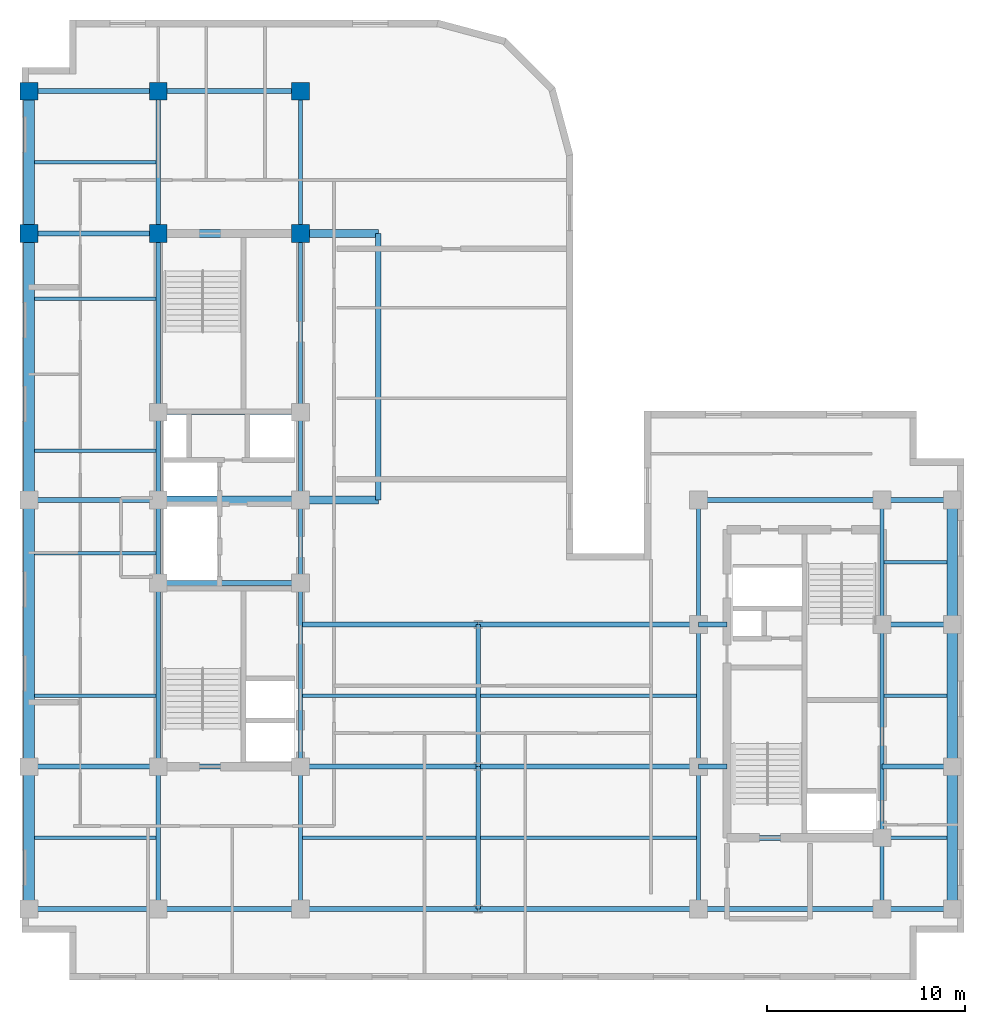
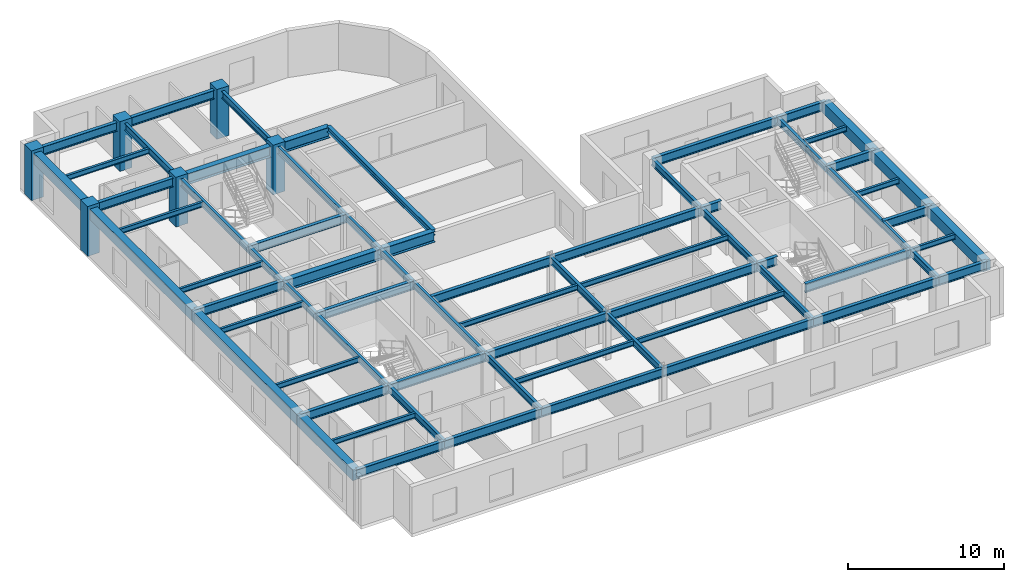
# One storey, part 2 of 10: 68 beams, 6 columns.
"""IFC4 building model written with IfcOpenShell, lengths in metres."""

import ifcopenshell
import ifcopenshell.guid

model = None  # the IFC model being written
_history = None  # IfcOwnerHistory: only IFC2X3 demands one
_inside = {}  # id of a spatial element -> (the spatial element, [elements in it])
_under = {}  # id of a project, library or spatial element -> (it, [spatial elements below it])
_declared = {}  # id of a project -> (the project, [libraries it declares])
_typed = {}  # id of a type object -> (the type object, [elements of that type])
_made_of = {}  # id of a material, layer set ... -> (it, [elements and type objects made of it])


def new_model(schema):
    """Start an empty IFC model of exactly this schema.

    Asked for "IFC4X3", IfcOpenShell would pick the latest addendum, in which some entities
    have other attributes; the version numbers below select the first issue.
    IFC2X3 requires an IfcOwnerHistory on every rooted entity: one is made here for all.
    """
    global model, _history
    if schema == "IFC4X3":
        model = ifcopenshell.file(schema_version=(4, 3, 0, 0))
    else:
        model = ifcopenshell.file(schema=schema)
    _inside.clear()
    _under.clear()
    _declared.clear()
    _typed.clear()
    _made_of.clear()
    _history = None
    if model.schema == "IFC2X3":
        org = make("IfcOrganization", Name="unknown")
        user = make(
            "IfcPersonAndOrganization",
            ThePerson=make("IfcPerson", FamilyName="unknown"),
            TheOrganization=org,
        )
        app = make(
            "IfcApplication",
            ApplicationDeveloper=org,
            Version="unknown",
            ApplicationFullName="unknown",
            ApplicationIdentifier="unknown",
        )
        _history = make(
            "IfcOwnerHistory",
            OwningUser=user,
            OwningApplication=app,
            ChangeAction="ADDED",
            CreationDate=0,
        )
    return model


def make(cls, **values):
    """One entity of the class cls with the attributes given. An attribute that is None is left unset."""
    return model.create_entity(
        cls, **{name: value for name, value in values.items() if value is not None}
    )


def entity(cls, *values):
    """Any entity or typed value of the class cls, its attributes in the order of the schema. None: left unset."""
    e = model.create_entity(cls)
    for i, value in enumerate(values):
        if value is not None:
            e[i] = value
    return e


def rooted(cls, **values):
    """An entity with a GlobalId (a new one), such as an element, a storey or a relation."""
    return make(cls, GlobalId=ifcopenshell.guid.new(), OwnerHistory=_history, **values)


def si_unit(unit_type, name, prefix=None):
    """IfcSIUnit, for example si_unit("LENGTHUNIT", "METRE", prefix="MILLI")."""
    return make("IfcSIUnit", UnitType=unit_type, Prefix=prefix, Name=name)


def converted_unit(unit_type, name, factor, base, dimensions=None, offset=None):
    """IfcConversionBasedUnit, such as the inch: factor (a typed value) times the base unit."""
    return make(
        "IfcConversionBasedUnit"
        if offset is None
        else "IfcConversionBasedUnitWithOffset",
        ConversionOffset=offset,
        Dimensions=None
        if dimensions is None
        else entity("IfcDimensionalExponents", *dimensions),
        UnitType=unit_type,
        Name=name,
        ConversionFactor=make(
            "IfcMeasureWithUnit", ValueComponent=factor, UnitComponent=base
        ),
    )


def assignment(units):
    """IfcUnitAssignment: the units of a project."""
    return None if units is None else make("IfcUnitAssignment", Units=units)


def point(xyz):
    """IfcCartesianPoint."""
    return None if xyz is None else make("IfcCartesianPoint", Coordinates=xyz)


def direction(xyz):
    """IfcDirection."""
    return None if xyz is None else make("IfcDirection", DirectionRatios=xyz)


def frame(location, z_axis=None, x_axis=None):
    """IfcAxis2Placement3D, a coordinate frame: its origin and axes. An axis left out is left unset."""
    return make(
        "IfcAxis2Placement3D",
        Location=point(location),
        Axis=direction(z_axis),
        RefDirection=direction(x_axis),
    )


def frame_2d(location, x_axis=None):
    """IfcAxis2Placement2D, a coordinate frame in the plane: its origin and x axis."""
    return make(
        "IfcAxis2Placement2D", Location=point(location), RefDirection=direction(x_axis)
    )


def origin_with_axes():
    """The frame at (0, 0, 0) with the z axis (0, 0, 1) and the x axis (1, 0, 0) written out."""
    return frame((0.0, 0.0, 0.0), z_axis=(0.0, 0.0, 1.0), x_axis=(1.0, 0.0, 0.0))


def origin_2d_with_axis():
    """The frame at (0, 0) in the plane with the x axis (1, 0) written out."""
    return frame_2d((0.0, 0.0), x_axis=(1.0, 0.0))


def place(relative_to, where):
    """IfcLocalPlacement: puts the frame where relative to a parent placement (None: the world)."""
    return make(
        "IfcLocalPlacement", PlacementRelTo=relative_to, RelativePlacement=where
    )


def context(
    kind, dimensions, precision=None, world=None, true_north=None, identifier=None
):
    """IfcGeometricRepresentationContext, for example the 3D "Model" context."""
    return make(
        "IfcGeometricRepresentationContext",
        ContextIdentifier=identifier,
        ContextType=kind,
        CoordinateSpaceDimension=dimensions,
        Precision=precision,
        WorldCoordinateSystem=world,
        TrueNorth=true_north,
    )


def subcontext(parent, identifier, kind, view, scale=None):
    """IfcGeometricRepresentationSubContext, for example "Body" below "Model"."""
    return make(
        "IfcGeometricRepresentationSubContext",
        ContextIdentifier=identifier,
        ContextType=kind,
        ParentContext=parent,
        TargetScale=scale,
        TargetView=view,
    )


def project(units=None, contexts=None):
    """IfcProject with its units and contexts."""
    return rooted(
        "IfcProject",
        Name="project",
        RepresentationContexts=contexts,
        UnitsInContext=assignment(units),
    )


def spatial(cls, under=None, at=None, **own):
    """A site, building, storey or space (cls), placed at a placement, below another one or the project."""
    s = rooted(cls, ObjectPlacement=at, **own)
    if under is not None:
        _under.setdefault(under.id(), (under, []))[1].append(s)
    return s


def profile(cls, at=None, kind="AREA", **sizes):
    """A parametric profile (cls). Its sizes go by their IFC names, for example OverallWidth=200.0."""
    return make(cls, ProfileType=kind, Position=at, **sizes)


def rectangle(**sizes):
    """IfcRectangleProfileDef."""
    return profile("IfcRectangleProfileDef", **sizes)


def i_section(**sizes):
    """IfcIShapeProfileDef."""
    return profile("IfcIShapeProfileDef", **sizes)


def extrude(swept, where, along, depth):
    """IfcExtrudedAreaSolid: the profile swept, set in the frame where, extruded along a direction by depth."""
    return make(
        "IfcExtrudedAreaSolid",
        SweptArea=swept,
        Position=where,
        ExtrudedDirection=direction(along),
        Depth=depth,
    )


def shape(context_of_items, identifier, shape_type, items):
    """IfcShapeRepresentation: the items that make up one representation, for example the "Body"."""
    return make(
        "IfcShapeRepresentation",
        ContextOfItems=context_of_items,
        RepresentationIdentifier=identifier,
        RepresentationType=shape_type,
        Items=items,
    )


def material(Name=None, Category=None):
    """IfcMaterial."""
    return make("IfcMaterial", Name=Name, Category=Category)


def material_profile(
    of_material, cross_section, Name=None, Category=None, Priority=None
):
    """IfcMaterialProfile: a cross section and its material."""
    return make(
        "IfcMaterialProfile",
        Name=Name,
        Material=of_material,
        Profile=cross_section,
        Priority=Priority,
        Category=Category,
    )


def profile_set(profiles, Name=None, composite=None):
    """IfcMaterialProfileSet."""
    return make(
        "IfcMaterialProfileSet",
        Name=Name,
        MaterialProfiles=profiles,
        CompositeProfile=composite,
    )


def made_of(thing, what):
    """Note that an element or type object is made of a material, layer set ...; save() writes the relation."""
    if what is not None:
        _made_of.setdefault(what.id(), (what, []))[1].append(thing)
    return thing


def type_object(cls, material=None, **own):
    """A type object (cls), such as IfcWallType, which elements share."""
    return made_of(rooted(cls, **own), material)


def element(
    cls,
    number,
    at=None,
    inside=None,
    cuts=None,
    type_object=None,
    material=None,
    context=None,
    identifier="Body",
    shape_type=None,
    held_by="IfcProductDefinitionShape",
    body=None,
    shapes=None,
    **own,
):
    """One element of the class cls, such as IfcWall. Its Tag is "e" and its number.

    at: its placement. inside: the storey or other place that contains it. cuts: it is an
    opening in that element (IfcRelVoidsElement). A single representation is given by context,
    identifier, shape_type and body (its items); several are given by shapes. held_by: the class
    of the entity that holds the representations. save() writes the other relations.
    """
    e = rooted(cls, Tag="e%d" % number, ObjectPlacement=at, **own)
    if body is not None:
        shapes = [shape(context, identifier, shape_type, body)]
    if shapes is not None:
        e.Representation = make(held_by, Representations=shapes)
    if inside is not None:
        _inside.setdefault(inside.id(), (inside, []))[1].append(e)
    if cuts is not None:
        rooted(
            "IfcRelVoidsElement", RelatingBuildingElement=cuts, RelatedOpeningElement=e
        )
    if type_object is not None:
        _typed.setdefault(type_object.id(), (type_object, []))[1].append(e)
    return made_of(e, material)


def aggregate(whole, parts):
    """IfcRelAggregates: a whole, such as a stair, and the parts it consists of."""
    return rooted("IfcRelAggregates", RelatingObject=whole, RelatedObjects=parts)


def save(model, path):
    """Write the relations noted so far, then the file.

    IfcRelAggregates (storeys below a building ...), IfcRelContainedInSpatialStructure (elements
    in a storey), IfcRelDefinesByType, IfcRelAssociatesMaterial and IfcRelDeclares: one each for
    every whole, place, type object, material and project.
    """
    for whole, parts in _under.values():
        aggregate(whole, parts)
    for where, things in _inside.values():
        rooted(
            "IfcRelContainedInSpatialStructure",
            RelatedElements=things,
            RelatingStructure=where,
        )
    for kind, things in _typed.values():
        rooted("IfcRelDefinesByType", RelatedObjects=things, RelatingType=kind)
    for what, things in _made_of.values():
        rooted("IfcRelAssociatesMaterial", RelatedObjects=things, RelatingMaterial=what)
    for by, libraries in _declared.values():
        rooted("IfcRelDeclares", RelatingContext=by, RelatedDefinitions=libraries)
    model.write(path)


model = new_model("IFC4")

# Units and contexts
model_context = context("Model", 3, precision=1e-05, world=origin_with_axes(), true_north=direction((0.0, 1.0)))
body_context = subcontext(model_context, "Body", "Model", "MODEL_VIEW")
ifc_project = project(units=[si_unit("LENGTHUNIT", "METRE"), si_unit("AREAUNIT", "SQUARE_METRE"), si_unit("VOLUMEUNIT", "CUBIC_METRE"), converted_unit("PLANEANGLEUNIT", "DEGREE", entity("IfcPlaneAngleMeasure", 0.017453292519943295), si_unit("PLANEANGLEUNIT", "RADIAN"), dimensions=[0, 0, 0, 0, 0, 0, 0]), si_unit("MASSUNIT", "GRAM", prefix="KILO"), si_unit("THERMODYNAMICTEMPERATUREUNIT", "KELVIN")], contexts=[model_context])

# Site, building, storey
site_placement = place(None, origin_with_axes())
site = spatial("IfcSite", under=ifc_project, at=site_placement, CompositionType="ELEMENT")
building_placement = place(site_placement, origin_with_axes())
building = spatial("IfcBuilding", under=site, at=building_placement, Name="Varnlund Millrace Tower", CompositionType="ELEMENT")
storey_placement = place(building_placement, frame((0.0, 0.0, 232.5), z_axis=(0.0, 0.0, 1.0), x_axis=(1.0, 0.0, 0.0)))
storey = spatial("IfcBuildingStorey", under=building, at=storey_placement, Name="L57", CompositionType="ELEMENT", Elevation=232.5)

# Columns
ifc_material_1 = material(Name="Concrete C70/85", Category="concrete")
ifc_material_profile_1 = material_profile(ifc_material_1, rectangle(XDim=0.9, YDim=0.9, at=origin_2d_with_axis()), Name="Concrete C70/85")
ifc_profile_set_1 = profile_set([ifc_material_profile_1], Name="Concrete C70/85")
column_type = type_object("IfcColumnType", Name="Type-Col-RC900-C70", PredefinedType="COLUMN", material=ifc_profile_set_1)
for number, where, z_axis, x_axis, name in (
    (1, (11.4, 37.8, 0.0), (0.0, 0.0, 1.0), (1.0, 0.0, 0.0), "Type-Col-RC900-C70"),
    (2, (11.4, 45.0, 0.0), (0.0, 0.0, 1.0), (1.0, 0.0, 0.0), "Type-Col-RC900-C70"),
    (3, (18.6, 37.8, 0.0), (0.0, 0.0, 1.0), (1.0, 0.0, 0.0), "Type-Col-RC900-C70"),
    (4, (18.6, 45.0, 0.0), (0.0, 0.0, 1.0), (1.0, 0.0, 0.0), "Type-Col-RC900-C70"),
    (5, (4.85, 37.8, 0.0), (0.0, 0.0, 1.0), (1.0, 0.0, 0.0), "Type-Col-RC900-C70"),
    (6, (4.85, 45.0, 0.0), (0.0, 0.0, 1.0), (1.0, 0.0, 0.0), "Type-Col-RC900-C70"),
):
    element("IfcColumn", number, at=place(storey_placement, frame(where, z_axis=z_axis, x_axis=x_axis)), inside=storey, type_object=column_type, Name=name, PredefinedType="COLUMN", context=body_context, shape_type="SweptSolid", body=[
        extrude(rectangle(XDim=0.9, YDim=0.9, at=origin_2d_with_axis()), origin_with_axes(), (0.0, 0.0, 1.0), 3.9),
    ])

# Beams
ifc_material_2 = material(Name="Steel ASTM A992 Grade 50", Category="steel")
ifc_material_profile_2 = material_profile(ifc_material_2, i_section(OverallWidth=0.28, OverallDepth=0.463, WebThickness=0.0108, FlangeThickness=0.0173, FilletRadius=0.015, at=origin_2d_with_axis()), Name="Steel ASTM A992 Grade 50")
ifc_profile_set_2 = profile_set([ifc_material_profile_2], Name="Steel ASTM A992 Grade 50")
beam_type_1 = type_object("IfcBeamType", Name="Type-Beam-W18X76", PredefinedType="BEAM", material=ifc_profile_set_2)
beam_1_placement = place(storey_placement, frame((22.55, 24.3, 3.4285), z_axis=(0.0, 1.0, 0.0), x_axis=(-1.0, 0.0, 0.0)))
element("IfcBeam", 7, at=beam_1_placement, inside=storey, type_object=beam_type_1, Name="Type-Beam-W18X76", PredefinedType="BEAM", context=body_context, shape_type="SweptSolid", body=[
    extrude(i_section(OverallWidth=0.28, OverallDepth=0.463, WebThickness=0.0108, FlangeThickness=0.0173, FilletRadius=0.015, at=origin_2d_with_axis()), origin_with_axes(), (0.0, 0.0, 1.0), 13.5),
])
ifc_material_profile_3 = material_profile(ifc_material_2, i_section(OverallWidth=0.214, OverallDepth=0.549, WebThickness=0.0147, FlangeThickness=0.0236, FilletRadius=0.015, at=origin_2d_with_axis()), Name="Steel ASTM A992 Grade 50")
ifc_profile_set_3 = profile_set([ifc_material_profile_3], Name="Steel ASTM A992 Grade 50")
beam_type_2 = type_object("IfcBeamType", Name="Type-Beam-W21X93", PredefinedType="BEAM", material=ifc_profile_set_3)
beam_2_placement = place(storey_placement, frame((11.4, 3.6, 3.3855), z_axis=(0.0, 1.0, 0.0), x_axis=(-1.0, 0.0, 0.0)))
element("IfcBeam", 8, at=beam_2_placement, inside=storey, type_object=beam_type_2, Name="Type-Beam-W21X93", PredefinedType="BEAM", context=body_context, shape_type="SweptSolid", body=[
    extrude(i_section(OverallWidth=0.214, OverallDepth=0.549, WebThickness=0.0147, FlangeThickness=0.0236, FilletRadius=0.015, at=origin_2d_with_axis()), origin_with_axes(), (0.0, 0.0, 1.0), 7.2),
])
beam_3_placement = place(storey_placement, frame((11.4, 10.8, 3.3855), z_axis=(0.0, 1.0, 0.0), x_axis=(-1.0, 0.0, 0.0)))
element("IfcBeam", 9, at=beam_3_placement, inside=storey, type_object=beam_type_2, Name="Type-Beam-W21X93", PredefinedType="BEAM", context=body_context, shape_type="SweptSolid", body=[
    extrude(i_section(OverallWidth=0.214, OverallDepth=0.549, WebThickness=0.0147, FlangeThickness=0.0236, FilletRadius=0.015, at=origin_2d_with_axis()), origin_with_axes(), (0.0, 0.0, 1.0), 9.3),
])
beam_4_placement = place(storey_placement, frame((11.4, 20.1, 3.3855), z_axis=(0.0, 1.0, 0.0), x_axis=(-1.0, 0.0, 0.0)))
element("IfcBeam", 10, at=beam_4_placement, inside=storey, type_object=beam_type_2, Name="Type-Beam-W21X93", PredefinedType="BEAM", context=body_context, shape_type="SweptSolid", body=[
    extrude(i_section(OverallWidth=0.214, OverallDepth=0.549, WebThickness=0.0147, FlangeThickness=0.0236, FilletRadius=0.015, at=origin_2d_with_axis()), origin_with_axes(), (0.0, 0.0, 1.0), 4.2),
])
beam_5_placement = place(storey_placement, frame((11.4, 24.3, 3.3855), z_axis=(0.0, 1.0, 0.0), x_axis=(-1.0, 0.0, 0.0)))
element("IfcBeam", 11, at=beam_5_placement, inside=storey, type_object=beam_type_2, Name="Type-Beam-W21X93", PredefinedType="BEAM", context=body_context, shape_type="SweptSolid", body=[
    extrude(i_section(OverallWidth=0.214, OverallDepth=0.549, WebThickness=0.0147, FlangeThickness=0.0236, FilletRadius=0.015, at=origin_2d_with_axis()), origin_with_axes(), (0.0, 0.0, 1.0), 4.45),
])
beam_6_placement = place(storey_placement, frame((11.4, 28.75, 3.3855), z_axis=(0.0, 1.0, 0.0), x_axis=(-1.0, 0.0, 0.0)))
element("IfcBeam", 12, at=beam_6_placement, inside=storey, type_object=beam_type_2, Name="Type-Beam-W21X93", PredefinedType="BEAM", context=body_context, shape_type="SweptSolid", body=[
    extrude(i_section(OverallWidth=0.214, OverallDepth=0.549, WebThickness=0.0147, FlangeThickness=0.0236, FilletRadius=0.015, at=origin_2d_with_axis()), origin_with_axes(), (0.0, 0.0, 1.0), 9.05),
])
for number, where, z_axis, x_axis, name in (
    (13, (11.4, 37.8, 3.3855), (0.0, 1.0, 0.0), (-1.0, 0.0, 0.0), "Type-Beam-W21X93"),
    (14, (18.6, 3.6, 3.3855), (0.0, 1.0, 0.0), (-1.0, 0.0, 0.0), "Type-Beam-W21X93"),
):
    element("IfcBeam", number, at=place(storey_placement, frame(where, z_axis=z_axis, x_axis=x_axis)), inside=storey, type_object=beam_type_2, Name=name, PredefinedType="BEAM", context=body_context, shape_type="SweptSolid", body=[
        extrude(i_section(OverallWidth=0.214, OverallDepth=0.549, WebThickness=0.0147, FlangeThickness=0.0236, FilletRadius=0.015, at=origin_2d_with_axis()), origin_with_axes(), (0.0, 0.0, 1.0), 7.2),
    ])
beam_7_placement = place(storey_placement, frame((18.6, 10.8, 3.3855), z_axis=(0.0, 1.0, 0.0), x_axis=(-1.0, 0.0, 0.0)))
element("IfcBeam", 15, at=beam_7_placement, inside=storey, type_object=beam_type_2, Name="Type-Beam-W21X93", PredefinedType="BEAM", context=body_context, shape_type="SweptSolid", body=[
    extrude(i_section(OverallWidth=0.214, OverallDepth=0.549, WebThickness=0.0147, FlangeThickness=0.0236, FilletRadius=0.015, at=origin_2d_with_axis()), origin_with_axes(), (0.0, 0.0, 1.0), 9.3),
])
beam_8_placement = place(storey_placement, frame((18.6, 20.1, 3.3855), z_axis=(0.0, 1.0, 0.0), x_axis=(-1.0, 0.0, 0.0)))
element("IfcBeam", 16, at=beam_8_placement, inside=storey, type_object=beam_type_2, Name="Type-Beam-W21X93", PredefinedType="BEAM", context=body_context, shape_type="SweptSolid", body=[
    extrude(i_section(OverallWidth=0.214, OverallDepth=0.549, WebThickness=0.0147, FlangeThickness=0.0236, FilletRadius=0.015, at=origin_2d_with_axis()), origin_with_axes(), (0.0, 0.0, 1.0), 4.2),
])
beam_9_placement = place(storey_placement, frame((18.6, 24.3, 3.3855), z_axis=(0.0, 1.0, 0.0), x_axis=(-1.0, 0.0, 0.0)))
element("IfcBeam", 17, at=beam_9_placement, inside=storey, type_object=beam_type_2, Name="Type-Beam-W21X93", PredefinedType="BEAM", context=body_context, shape_type="SweptSolid", body=[
    extrude(i_section(OverallWidth=0.214, OverallDepth=0.549, WebThickness=0.0147, FlangeThickness=0.0236, FilletRadius=0.015, at=origin_2d_with_axis()), origin_with_axes(), (0.0, 0.0, 1.0), 4.45),
])
beam_10_placement = place(storey_placement, frame((18.6, 28.75, 3.3855), z_axis=(0.0, 1.0, 0.0), x_axis=(-1.0, 0.0, 0.0)))
element("IfcBeam", 18, at=beam_10_placement, inside=storey, type_object=beam_type_2, Name="Type-Beam-W21X93", PredefinedType="BEAM", context=body_context, shape_type="SweptSolid", body=[
    extrude(i_section(OverallWidth=0.214, OverallDepth=0.549, WebThickness=0.0147, FlangeThickness=0.0236, FilletRadius=0.015, at=origin_2d_with_axis()), origin_with_axes(), (0.0, 0.0, 1.0), 9.05),
])
for number, where, z_axis, x_axis, name in (
    (19, (18.6, 37.8, 3.3855), (0.0, 1.0, 0.0), (-1.0, 0.0, 0.0), "Type-Beam-W21X93"),
    (20, (27.6, 3.6, 3.3855), (0.0, 1.0, 0.0), (-1.0, 0.0, 0.0), "Type-Beam-W21X93"),
    (21, (27.6, 10.8, 3.3855), (0.0, 1.0, 0.0), (-1.0, 0.0, 0.0), "Type-Beam-W21X93"),
    (22, (38.75, 3.6, 3.3855), (0.0, 1.0, 0.0), (-1.0, 0.0, 0.0), "Type-Beam-W21X93"),
    (23, (38.75, 10.8, 3.3855), (0.0, 1.0, 0.0), (-1.0, 0.0, 0.0), "Type-Beam-W21X93"),
):
    element("IfcBeam", number, at=place(storey_placement, frame(where, z_axis=z_axis, x_axis=x_axis)), inside=storey, type_object=beam_type_2, Name=name, PredefinedType="BEAM", context=body_context, shape_type="SweptSolid", body=[
        extrude(i_section(OverallWidth=0.214, OverallDepth=0.549, WebThickness=0.0147, FlangeThickness=0.0236, FilletRadius=0.015, at=origin_2d_with_axis()), origin_with_axes(), (0.0, 0.0, 1.0), 7.2),
    ])
beam_11_placement = place(storey_placement, frame((38.75, 18.0, 3.3855), z_axis=(0.0, 1.0, 0.0), x_axis=(-1.0, 0.0, 0.0)))
element("IfcBeam", 24, at=beam_11_placement, inside=storey, type_object=beam_type_2, Name="Type-Beam-W21X93", PredefinedType="BEAM", context=body_context, shape_type="SweptSolid", body=[
    extrude(i_section(OverallWidth=0.214, OverallDepth=0.549, WebThickness=0.0147, FlangeThickness=0.0236, FilletRadius=0.015, at=origin_2d_with_axis()), origin_with_axes(), (0.0, 0.0, 1.0), 6.3),
])
beam_12_placement = place(storey_placement, frame((48.05, 3.6, 3.3855), z_axis=(0.0, 1.0, 0.0), x_axis=(-1.0, 0.0, 0.0)))
element("IfcBeam", 25, at=beam_12_placement, inside=storey, type_object=beam_type_2, Name="Type-Beam-W21X93", PredefinedType="BEAM", context=body_context, shape_type="SweptSolid", body=[
    extrude(i_section(OverallWidth=0.214, OverallDepth=0.549, WebThickness=0.0147, FlangeThickness=0.0236, FilletRadius=0.015, at=origin_2d_with_axis()), origin_with_axes(), (0.0, 0.0, 1.0), 3.6),
])
beam_13_placement = place(storey_placement, frame((48.05, 7.2, 3.3855), z_axis=(0.0, 1.0, 0.0), x_axis=(-1.0, 0.0, 0.0)))
element("IfcBeam", 26, at=beam_13_placement, inside=storey, type_object=beam_type_2, Name="Type-Beam-W21X93", PredefinedType="BEAM", context=body_context, shape_type="SweptSolid", body=[
    extrude(i_section(OverallWidth=0.214, OverallDepth=0.549, WebThickness=0.0147, FlangeThickness=0.0236, FilletRadius=0.015, at=origin_2d_with_axis()), origin_with_axes(), (0.0, 0.0, 1.0), 10.8),
])
beam_14_placement = place(storey_placement, frame((48.05, 18.0, 3.3855), z_axis=(0.0, 1.0, 0.0), x_axis=(-1.0, 0.0, 0.0)))
element("IfcBeam", 27, at=beam_14_placement, inside=storey, type_object=beam_type_2, Name="Type-Beam-W21X93", PredefinedType="BEAM", context=body_context, shape_type="SweptSolid", body=[
    extrude(i_section(OverallWidth=0.214, OverallDepth=0.549, WebThickness=0.0147, FlangeThickness=0.0236, FilletRadius=0.015, at=origin_2d_with_axis()), origin_with_axes(), (0.0, 0.0, 1.0), 6.3),
])
ifc_material_profile_4 = material_profile(ifc_material_2, i_section(OverallWidth=0.256, OverallDepth=0.693, WebThickness=0.0145, FlangeThickness=0.0236, FilletRadius=0.018, at=origin_2d_with_axis()), Name="Steel ASTM A992 Grade 50")
ifc_profile_set_4 = profile_set([ifc_material_profile_4], Name="Steel ASTM A992 Grade 50")
beam_type_3 = type_object("IfcBeamType", Name="Type-Girder-W27X114", PredefinedType="USERDEFINED", material=ifc_profile_set_4)
beam_15_placement = place(storey_placement, frame((4.85, 3.6, 3.3135), z_axis=(1.0, 0.0, 0.0), x_axis=(0.0, 1.0, 0.0)))
element("IfcBeam", 28, at=beam_15_placement, inside=storey, type_object=beam_type_3, Name="Type-Girder-W27X114", ObjectType="GIRDER", PredefinedType="USERDEFINED", context=body_context, shape_type="SweptSolid", body=[
    extrude(i_section(OverallWidth=0.256, OverallDepth=0.693, WebThickness=0.0145, FlangeThickness=0.0236, FilletRadius=0.018, at=origin_2d_with_axis()), origin_with_axes(), (0.0, 0.0, 1.0), 6.55),
])
beam_16_placement = place(storey_placement, frame((11.4, 3.6, 3.3135), z_axis=(1.0, 0.0, 0.0), x_axis=(0.0, 1.0, 0.0)))
element("IfcBeam", 29, at=beam_16_placement, inside=storey, type_object=beam_type_3, Name="Type-Girder-W27X114", ObjectType="GIRDER", PredefinedType="USERDEFINED", context=body_context, shape_type="SweptSolid", body=[
    extrude(i_section(OverallWidth=0.256, OverallDepth=0.693, WebThickness=0.0145, FlangeThickness=0.0236, FilletRadius=0.018, at=origin_2d_with_axis()), origin_with_axes(), (0.0, 0.0, 1.0), 7.2),
])
beam_17_placement = place(storey_placement, frame((18.6, 3.6, 3.3135), z_axis=(1.0, 0.0, 0.0), x_axis=(0.0, 1.0, 0.0)))
element("IfcBeam", 30, at=beam_17_placement, inside=storey, type_object=beam_type_3, Name="Type-Girder-W27X114", ObjectType="GIRDER", PredefinedType="USERDEFINED", context=body_context, shape_type="SweptSolid", body=[
    extrude(i_section(OverallWidth=0.256, OverallDepth=0.693, WebThickness=0.0145, FlangeThickness=0.0236, FilletRadius=0.018, at=origin_2d_with_axis()), origin_with_axes(), (0.0, 0.0, 1.0), 9.0),
])
beam_18_placement = place(storey_placement, frame((27.6, 3.6, 3.3135), z_axis=(1.0, 0.0, 0.0), x_axis=(0.0, 1.0, 0.0)))
element("IfcBeam", 31, at=beam_18_placement, inside=storey, type_object=beam_type_3, Name="Type-Girder-W27X114", ObjectType="GIRDER", PredefinedType="USERDEFINED", context=body_context, shape_type="SweptSolid", body=[
    extrude(i_section(OverallWidth=0.256, OverallDepth=0.693, WebThickness=0.0145, FlangeThickness=0.0236, FilletRadius=0.018, at=origin_2d_with_axis()), origin_with_axes(), (0.0, 0.0, 1.0), 11.15),
])
beam_19_placement = place(storey_placement, frame((38.75, 3.6, 3.3135), z_axis=(1.0, 0.0, 0.0), x_axis=(0.0, 1.0, 0.0)))
element("IfcBeam", 32, at=beam_19_placement, inside=storey, type_object=beam_type_3, Name="Type-Girder-W27X114", ObjectType="GIRDER", PredefinedType="USERDEFINED", context=body_context, shape_type="SweptSolid", body=[
    extrude(i_section(OverallWidth=0.256, OverallDepth=0.693, WebThickness=0.0145, FlangeThickness=0.0236, FilletRadius=0.018, at=origin_2d_with_axis()), origin_with_axes(), (0.0, 0.0, 1.0), 9.3),
])
beam_20_placement = place(storey_placement, frame((48.05, 3.6, 3.3135), z_axis=(1.0, 0.0, 0.0), x_axis=(0.0, 1.0, 0.0)))
element("IfcBeam", 33, at=beam_20_placement, inside=storey, type_object=beam_type_3, Name="Type-Girder-W27X114", ObjectType="GIRDER", PredefinedType="USERDEFINED", context=body_context, shape_type="SweptSolid", body=[
    extrude(i_section(OverallWidth=0.256, OverallDepth=0.693, WebThickness=0.0145, FlangeThickness=0.0236, FilletRadius=0.018, at=origin_2d_with_axis()), origin_with_axes(), (0.0, 0.0, 1.0), 3.55),
])
beam_21_placement = place(storey_placement, frame((40.2, 7.2, 3.3135), z_axis=(1.0, 0.0, 0.0), x_axis=(0.0, 1.0, 0.0)))
element("IfcBeam", 34, at=beam_21_placement, inside=storey, type_object=beam_type_3, Name="Type-Girder-W27X114", ObjectType="GIRDER", PredefinedType="USERDEFINED", context=body_context, shape_type="SweptSolid", body=[
    extrude(i_section(OverallWidth=0.256, OverallDepth=0.693, WebThickness=0.0145, FlangeThickness=0.0236, FilletRadius=0.018, at=origin_2d_with_axis()), origin_with_axes(), (0.0, 0.0, 1.0), 7.85),
])
beam_22_placement = place(storey_placement, frame((4.85, 10.8, 3.3135), z_axis=(1.0, 0.0, 0.0), x_axis=(0.0, 1.0, 0.0)))
element("IfcBeam", 35, at=beam_22_placement, inside=storey, type_object=beam_type_3, Name="Type-Girder-W27X114", ObjectType="GIRDER", PredefinedType="USERDEFINED", context=body_context, shape_type="SweptSolid", body=[
    extrude(i_section(OverallWidth=0.256, OverallDepth=0.693, WebThickness=0.0145, FlangeThickness=0.0236, FilletRadius=0.018, at=origin_2d_with_axis()), origin_with_axes(), (0.0, 0.0, 1.0), 6.55),
])
beam_23_placement = place(storey_placement, frame((11.4, 10.8, 3.3135), z_axis=(1.0, 0.0, 0.0), x_axis=(0.0, 1.0, 0.0)))
element("IfcBeam", 36, at=beam_23_placement, inside=storey, type_object=beam_type_3, Name="Type-Girder-W27X114", ObjectType="GIRDER", PredefinedType="USERDEFINED", context=body_context, shape_type="SweptSolid", body=[
    extrude(i_section(OverallWidth=0.256, OverallDepth=0.693, WebThickness=0.0145, FlangeThickness=0.0236, FilletRadius=0.018, at=origin_2d_with_axis()), origin_with_axes(), (0.0, 0.0, 1.0), 7.2),
])
beam_24_placement = place(storey_placement, frame((18.6, 10.8, 3.3135), z_axis=(1.0, 0.0, 0.0), x_axis=(0.0, 1.0, 0.0)))
element("IfcBeam", 37, at=beam_24_placement, inside=storey, type_object=beam_type_3, Name="Type-Girder-W27X114", ObjectType="GIRDER", PredefinedType="USERDEFINED", context=body_context, shape_type="SweptSolid", body=[
    extrude(i_section(OverallWidth=0.256, OverallDepth=0.693, WebThickness=0.0145, FlangeThickness=0.0236, FilletRadius=0.018, at=origin_2d_with_axis()), origin_with_axes(), (0.0, 0.0, 1.0), 9.0),
])
beam_25_placement = place(storey_placement, frame((27.6, 10.8, 3.3135), z_axis=(1.0, 0.0, 0.0), x_axis=(0.0, 1.0, 0.0)))
element("IfcBeam", 38, at=beam_25_placement, inside=storey, type_object=beam_type_3, Name="Type-Girder-W27X114", ObjectType="GIRDER", PredefinedType="USERDEFINED", context=body_context, shape_type="SweptSolid", body=[
    extrude(i_section(OverallWidth=0.256, OverallDepth=0.693, WebThickness=0.0145, FlangeThickness=0.0236, FilletRadius=0.018, at=origin_2d_with_axis()), origin_with_axes(), (0.0, 0.0, 1.0), 11.15),
])
beam_26_placement = place(storey_placement, frame((38.75, 10.8, 3.3135), z_axis=(1.0, 0.0, 0.0), x_axis=(0.0, 1.0, 0.0)))
element("IfcBeam", 39, at=beam_26_placement, inside=storey, type_object=beam_type_3, Name="Type-Girder-W27X114", ObjectType="GIRDER", PredefinedType="USERDEFINED", context=body_context, shape_type="SweptSolid", body=[
    extrude(i_section(OverallWidth=0.256, OverallDepth=0.693, WebThickness=0.0145, FlangeThickness=0.0236, FilletRadius=0.018, at=origin_2d_with_axis()), origin_with_axes(), (0.0, 0.0, 1.0), 1.45),
])
beam_27_placement = place(storey_placement, frame((48.05, 10.8, 3.3135), z_axis=(1.0, 0.0, 0.0), x_axis=(0.0, 1.0, 0.0)))
element("IfcBeam", 40, at=beam_27_placement, inside=storey, type_object=beam_type_3, Name="Type-Girder-W27X114", ObjectType="GIRDER", PredefinedType="USERDEFINED", context=body_context, shape_type="SweptSolid", body=[
    extrude(i_section(OverallWidth=0.256, OverallDepth=0.693, WebThickness=0.0145, FlangeThickness=0.0236, FilletRadius=0.018, at=origin_2d_with_axis()), origin_with_axes(), (0.0, 0.0, 1.0), 3.55),
])
beam_28_placement = place(storey_placement, frame((18.6, 18.0, 3.3135), z_axis=(1.0, 0.0, 0.0), x_axis=(0.0, 1.0, 0.0)))
element("IfcBeam", 41, at=beam_28_placement, inside=storey, type_object=beam_type_3, Name="Type-Girder-W27X114", ObjectType="GIRDER", PredefinedType="USERDEFINED", context=body_context, shape_type="SweptSolid", body=[
    extrude(i_section(OverallWidth=0.256, OverallDepth=0.693, WebThickness=0.0145, FlangeThickness=0.0236, FilletRadius=0.018, at=origin_2d_with_axis()), origin_with_axes(), (0.0, 0.0, 1.0), 9.0),
])
beam_29_placement = place(storey_placement, frame((27.6, 18.0, 3.3135), z_axis=(1.0, 0.0, 0.0), x_axis=(0.0, 1.0, 0.0)))
element("IfcBeam", 42, at=beam_29_placement, inside=storey, type_object=beam_type_3, Name="Type-Girder-W27X114", ObjectType="GIRDER", PredefinedType="USERDEFINED", context=body_context, shape_type="SweptSolid", body=[
    extrude(i_section(OverallWidth=0.256, OverallDepth=0.693, WebThickness=0.0145, FlangeThickness=0.0236, FilletRadius=0.018, at=origin_2d_with_axis()), origin_with_axes(), (0.0, 0.0, 1.0), 11.15),
])
beam_30_placement = place(storey_placement, frame((38.75, 18.0, 3.3135), z_axis=(1.0, 0.0, 0.0), x_axis=(0.0, 1.0, 0.0)))
element("IfcBeam", 43, at=beam_30_placement, inside=storey, type_object=beam_type_3, Name="Type-Girder-W27X114", ObjectType="GIRDER", PredefinedType="USERDEFINED", context=body_context, shape_type="SweptSolid", body=[
    extrude(i_section(OverallWidth=0.256, OverallDepth=0.693, WebThickness=0.0145, FlangeThickness=0.0236, FilletRadius=0.018, at=origin_2d_with_axis()), origin_with_axes(), (0.0, 0.0, 1.0), 1.45),
])
beam_31_placement = place(storey_placement, frame((48.05, 18.0, 3.3135), z_axis=(1.0, 0.0, 0.0), x_axis=(0.0, 1.0, 0.0)))
element("IfcBeam", 44, at=beam_31_placement, inside=storey, type_object=beam_type_3, Name="Type-Girder-W27X114", ObjectType="GIRDER", PredefinedType="USERDEFINED", context=body_context, shape_type="SweptSolid", body=[
    extrude(i_section(OverallWidth=0.256, OverallDepth=0.693, WebThickness=0.0145, FlangeThickness=0.0236, FilletRadius=0.018, at=origin_2d_with_axis()), origin_with_axes(), (0.0, 0.0, 1.0), 3.55),
])
beam_32_placement = place(storey_placement, frame((11.4, 20.1, 3.3135), z_axis=(1.0, 0.0, 0.0), x_axis=(0.0, 1.0, 0.0)))
element("IfcBeam", 45, at=beam_32_placement, inside=storey, type_object=beam_type_3, Name="Type-Girder-W27X114", ObjectType="GIRDER", PredefinedType="USERDEFINED", context=body_context, shape_type="SweptSolid", body=[
    extrude(i_section(OverallWidth=0.256, OverallDepth=0.693, WebThickness=0.0145, FlangeThickness=0.0236, FilletRadius=0.018, at=origin_2d_with_axis()), origin_with_axes(), (0.0, 0.0, 1.0), 7.2),
])
beam_33_placement = place(storey_placement, frame((4.85, 24.3, 3.3135), z_axis=(1.0, 0.0, 0.0), x_axis=(0.0, 1.0, 0.0)))
element("IfcBeam", 46, at=beam_33_placement, inside=storey, type_object=beam_type_3, Name="Type-Girder-W27X114", ObjectType="GIRDER", PredefinedType="USERDEFINED", context=body_context, shape_type="SweptSolid", body=[
    extrude(i_section(OverallWidth=0.256, OverallDepth=0.693, WebThickness=0.0145, FlangeThickness=0.0236, FilletRadius=0.018, at=origin_2d_with_axis()), origin_with_axes(), (0.0, 0.0, 1.0), 6.55),
])
beam_34_placement = place(storey_placement, frame((38.75, 24.3, 3.3135), z_axis=(1.0, 0.0, 0.0), x_axis=(0.0, 1.0, 0.0)))
element("IfcBeam", 47, at=beam_34_placement, inside=storey, type_object=beam_type_3, Name="Type-Girder-W27X114", ObjectType="GIRDER", PredefinedType="USERDEFINED", context=body_context, shape_type="SweptSolid", body=[
    extrude(i_section(OverallWidth=0.256, OverallDepth=0.693, WebThickness=0.0145, FlangeThickness=0.0236, FilletRadius=0.018, at=origin_2d_with_axis()), origin_with_axes(), (0.0, 0.0, 1.0), 9.3),
])
beam_35_placement = place(storey_placement, frame((48.05, 24.3, 3.3135), z_axis=(1.0, 0.0, 0.0), x_axis=(0.0, 1.0, 0.0)))
element("IfcBeam", 48, at=beam_35_placement, inside=storey, type_object=beam_type_3, Name="Type-Girder-W27X114", ObjectType="GIRDER", PredefinedType="USERDEFINED", context=body_context, shape_type="SweptSolid", body=[
    extrude(i_section(OverallWidth=0.256, OverallDepth=0.693, WebThickness=0.0145, FlangeThickness=0.0236, FilletRadius=0.018, at=origin_2d_with_axis()), origin_with_axes(), (0.0, 0.0, 1.0), 3.55),
])
beam_36_placement = place(storey_placement, frame((11.4, 28.75, 3.3135), z_axis=(1.0, 0.0, 0.0), x_axis=(0.0, 1.0, 0.0)))
element("IfcBeam", 49, at=beam_36_placement, inside=storey, type_object=beam_type_3, Name="Type-Girder-W27X114", ObjectType="GIRDER", PredefinedType="USERDEFINED", context=body_context, shape_type="SweptSolid", body=[
    extrude(i_section(OverallWidth=0.256, OverallDepth=0.693, WebThickness=0.0145, FlangeThickness=0.0236, FilletRadius=0.018, at=origin_2d_with_axis()), origin_with_axes(), (0.0, 0.0, 1.0), 7.2),
])
for number, where, z_axis, x_axis, name in (
    (50, (4.85, 37.8, 3.3135), (1.0, 0.0, 0.0), (0.0, 1.0, 0.0), "Type-Girder-W27X114"),
    (51, (4.85, 45.0, 3.3135), (1.0, 0.0, 0.0), (0.0, 1.0, 0.0), "Type-Girder-W27X114"),
):
    element("IfcBeam", number, at=place(storey_placement, frame(where, z_axis=z_axis, x_axis=x_axis)), inside=storey, type_object=beam_type_3, Name=name, ObjectType="GIRDER", PredefinedType="USERDEFINED", context=body_context, shape_type="SweptSolid", body=[
        extrude(i_section(OverallWidth=0.256, OverallDepth=0.693, WebThickness=0.0145, FlangeThickness=0.0236, FilletRadius=0.018, at=origin_2d_with_axis()), origin_with_axes(), (0.0, 0.0, 1.0), 6.55),
    ])
beam_37_placement = place(storey_placement, frame((11.4, 45.0, 3.3135), z_axis=(1.0, 0.0, 0.0), x_axis=(0.0, 1.0, 0.0)))
element("IfcBeam", 52, at=beam_37_placement, inside=storey, type_object=beam_type_3, Name="Type-Girder-W27X114", ObjectType="GIRDER", PredefinedType="USERDEFINED", context=body_context, shape_type="SweptSolid", body=[
    extrude(i_section(OverallWidth=0.256, OverallDepth=0.693, WebThickness=0.0145, FlangeThickness=0.0236, FilletRadius=0.018, at=origin_2d_with_axis()), origin_with_axes(), (0.0, 0.0, 1.0), 7.2),
])
ifc_material_profile_5 = material_profile(ifc_material_2, i_section(OverallWidth=0.399, OverallDepth=0.855, WebThickness=0.0182, FlangeThickness=0.0292, FilletRadius=0.022, at=origin_2d_with_axis()), Name="Steel ASTM A992 Grade 50")
ifc_profile_set_5 = profile_set([ifc_material_profile_5], Name="Steel ASTM A992 Grade 50")
beam_type_4 = type_object("IfcBeamType", Name="Type-Girder-W33X201", PredefinedType="USERDEFINED", material=ifc_profile_set_5)
for number, where, z_axis, x_axis, name in (
    (53, (11.4, 24.3, 3.2325), (1.0, 0.0, 0.0), (0.0, 1.0, 0.0), "Type-Girder-W33X201"),
    (54, (11.4, 37.8, 3.2325), (1.0, 0.0, 0.0), (0.0, 1.0, 0.0), "Type-Girder-W33X201"),
):
    element("IfcBeam", number, at=place(storey_placement, frame(where, z_axis=z_axis, x_axis=x_axis)), inside=storey, type_object=beam_type_4, Name=name, ObjectType="GIRDER", PredefinedType="USERDEFINED", context=body_context, shape_type="SweptSolid", body=[
        extrude(i_section(OverallWidth=0.399, OverallDepth=0.855, WebThickness=0.0182, FlangeThickness=0.0292, FilletRadius=0.022, at=origin_2d_with_axis()), origin_with_axes(), (0.0, 0.0, 1.0), 11.15),
    ])
ifc_material_profile_6 = material_profile(ifc_material_2, i_section(OverallWidth=0.178, OverallDepth=0.403, WebThickness=0.0075, FlangeThickness=0.0109, FilletRadius=0.011, at=origin_2d_with_axis()), Name="Steel ASTM A992 Grade 50")
ifc_profile_set_6 = profile_set([ifc_material_profile_6], Name="Steel ASTM A992 Grade 50")
beam_type_5 = type_object("IfcBeamType", Name="Type-Joist-W16X36", PredefinedType="JOIST", material=ifc_profile_set_6)
for number, where, z_axis, x_axis, name in (
    (55, (5.125, 7.2, 3.4585), (1.0, 0.0, 0.0), (0.0, 1.0, 0.0), "Type-Joist-W16X36"),
    (56, (5.125, 14.4, 3.4585), (1.0, 0.0, 0.0), (0.0, 1.0, 0.0), "Type-Joist-W16X36"),
    (57, (5.125, 21.6, 3.4585), (1.0, 0.0, 0.0), (0.0, 1.0, 0.0), "Type-Joist-W16X36"),
    (58, (5.125, 26.8, 3.4585), (1.0, 0.0, 0.0), (0.0, 1.0, 0.0), "Type-Joist-W16X36"),
    (59, (5.125, 34.5, 3.4585), (1.0, 0.0, 0.0), (0.0, 1.0, 0.0), "Type-Joist-W16X36"),
    (60, (5.125, 41.4, 3.4585), (1.0, 0.0, 0.0), (0.0, 1.0, 0.0), "Type-Joist-W16X36"),
):
    element("IfcBeam", number, at=place(storey_placement, frame(where, z_axis=z_axis, x_axis=x_axis)), inside=storey, type_object=beam_type_5, Name=name, PredefinedType="JOIST", context=body_context, shape_type="SweptSolid", body=[
        extrude(i_section(OverallWidth=0.178, OverallDepth=0.403, WebThickness=0.0075, FlangeThickness=0.0109, FilletRadius=0.011, at=origin_2d_with_axis()), origin_with_axes(), (0.0, 0.0, 1.0), 6.168),
    ])
for number, where, z_axis, x_axis, name in (
    (61, (48.157, 7.2, 3.4585), (1.0, 0.0, 0.0), (0.0, 1.0, 0.0), "Type-Joist-W16X36"),
    (62, (48.157, 14.4, 3.4585), (1.0, 0.0, 0.0), (0.0, 1.0, 0.0), "Type-Joist-W16X36"),
    (63, (48.157, 21.15, 3.4585), (1.0, 0.0, 0.0), (0.0, 1.0, 0.0), "Type-Joist-W16X36"),
):
    element("IfcBeam", number, at=place(storey_placement, frame(where, z_axis=z_axis, x_axis=x_axis)), inside=storey, type_object=beam_type_5, Name=name, PredefinedType="JOIST", context=body_context, shape_type="SweptSolid", body=[
        extrude(i_section(OverallWidth=0.178, OverallDepth=0.403, WebThickness=0.0075, FlangeThickness=0.0109, FilletRadius=0.011, at=origin_2d_with_axis()), origin_with_axes(), (0.0, 0.0, 1.0), 3.168),
    ])
for number, where, z_axis, x_axis, name in (
    (64, (18.707, 7.2, 3.4585), (1.0, 0.0, 0.0), (0.0, 1.0, 0.0), "Type-Joist-W16X36"),
    (65, (18.707, 14.4, 3.4585), (1.0, 0.0, 0.0), (0.0, 1.0, 0.0), "Type-Joist-W16X36"),
):
    element("IfcBeam", number, at=place(storey_placement, frame(where, z_axis=z_axis, x_axis=x_axis)), inside=storey, type_object=beam_type_5, Name=name, PredefinedType="JOIST", context=body_context, shape_type="SweptSolid", body=[
        extrude(i_section(OverallWidth=0.178, OverallDepth=0.403, WebThickness=0.0075, FlangeThickness=0.0109, FilletRadius=0.011, at=origin_2d_with_axis()), origin_with_axes(), (0.0, 0.0, 1.0), 8.786),
    ])
for number, where, z_axis, x_axis, name in (
    (66, (27.707, 7.2, 3.4585), (1.0, 0.0, 0.0), (0.0, 1.0, 0.0), "Type-Joist-W16X36"),
    (67, (27.707, 14.4, 3.4585), (1.0, 0.0, 0.0), (0.0, 1.0, 0.0), "Type-Joist-W16X36"),
):
    element("IfcBeam", number, at=place(storey_placement, frame(where, z_axis=z_axis, x_axis=x_axis)), inside=storey, type_object=beam_type_5, Name=name, PredefinedType="JOIST", context=body_context, shape_type="SweptSolid", body=[
        extrude(i_section(OverallWidth=0.178, OverallDepth=0.403, WebThickness=0.0075, FlangeThickness=0.0109, FilletRadius=0.011, at=origin_2d_with_axis()), origin_with_axes(), (0.0, 0.0, 1.0), 10.936),
    ])
ifc_material_3 = material(Name="Concrete C60/75", Category="concrete")
ifc_material_profile_7 = material_profile(ifc_material_3, rectangle(XDim=0.55, YDim=0.85, at=origin_2d_with_axis()), Name="Concrete C60/75")
ifc_profile_set_7 = profile_set([ifc_material_profile_7], Name="Concrete C60/75")
beam_type_6 = type_object("IfcBeamType", Name="Type-Spandrel-RC550X850", PredefinedType="SPANDREL", material=ifc_profile_set_7)
beam_38_placement = place(storey_placement, frame((4.85, 3.6, 3.235), z_axis=(0.0, 1.0, 0.0), x_axis=(-1.0, 0.0, 0.0)))
element("IfcBeam", 68, at=beam_38_placement, inside=storey, type_object=beam_type_6, Name="Type-Spandrel-RC550X850", PredefinedType="SPANDREL", context=body_context, shape_type="SweptSolid", body=[
    extrude(rectangle(XDim=0.55, YDim=0.85, at=origin_2d_with_axis()), origin_with_axes(), (0.0, 0.0, 1.0), 7.2),
])
for number, where, z_axis, x_axis, name in (
    (69, (4.85, 10.8, 3.235), (0.0, 1.0, 0.0), (-1.0, 0.0, 0.0), "Type-Spandrel-RC550X850"),
    (70, (4.85, 24.3, 3.235), (0.0, 1.0, 0.0), (-1.0, 0.0, 0.0), "Type-Spandrel-RC550X850"),
):
    element("IfcBeam", number, at=place(storey_placement, frame(where, z_axis=z_axis, x_axis=x_axis)), inside=storey, type_object=beam_type_6, Name=name, PredefinedType="SPANDREL", context=body_context, shape_type="SweptSolid", body=[
        extrude(rectangle(XDim=0.55, YDim=0.85, at=origin_2d_with_axis()), origin_with_axes(), (0.0, 0.0, 1.0), 13.5),
    ])
for number, where, z_axis, x_axis, name in (
    (71, (4.85, 37.8, 3.235), (0.0, 1.0, 0.0), (-1.0, 0.0, 0.0), "Type-Spandrel-RC550X850"),
    (72, (51.6, 3.6, 3.235), (0.0, 1.0, 0.0), (-1.0, 0.0, 0.0), "Type-Spandrel-RC550X850"),
    (73, (51.6, 10.8, 3.235), (0.0, 1.0, 0.0), (-1.0, 0.0, 0.0), "Type-Spandrel-RC550X850"),
):
    element("IfcBeam", number, at=place(storey_placement, frame(where, z_axis=z_axis, x_axis=x_axis)), inside=storey, type_object=beam_type_6, Name=name, PredefinedType="SPANDREL", context=body_context, shape_type="SweptSolid", body=[
        extrude(rectangle(XDim=0.55, YDim=0.85, at=origin_2d_with_axis()), origin_with_axes(), (0.0, 0.0, 1.0), 7.2),
    ])
beam_39_placement = place(storey_placement, frame((51.6, 18.0, 3.235), z_axis=(0.0, 1.0, 0.0), x_axis=(-1.0, 0.0, 0.0)))
element("IfcBeam", 74, at=beam_39_placement, inside=storey, type_object=beam_type_6, Name="Type-Spandrel-RC550X850", PredefinedType="SPANDREL", context=body_context, shape_type="SweptSolid", body=[
    extrude(rectangle(XDim=0.55, YDim=0.85, at=origin_2d_with_axis()), origin_with_axes(), (0.0, 0.0, 1.0), 6.3),
])

save(model, "model.ifc")
